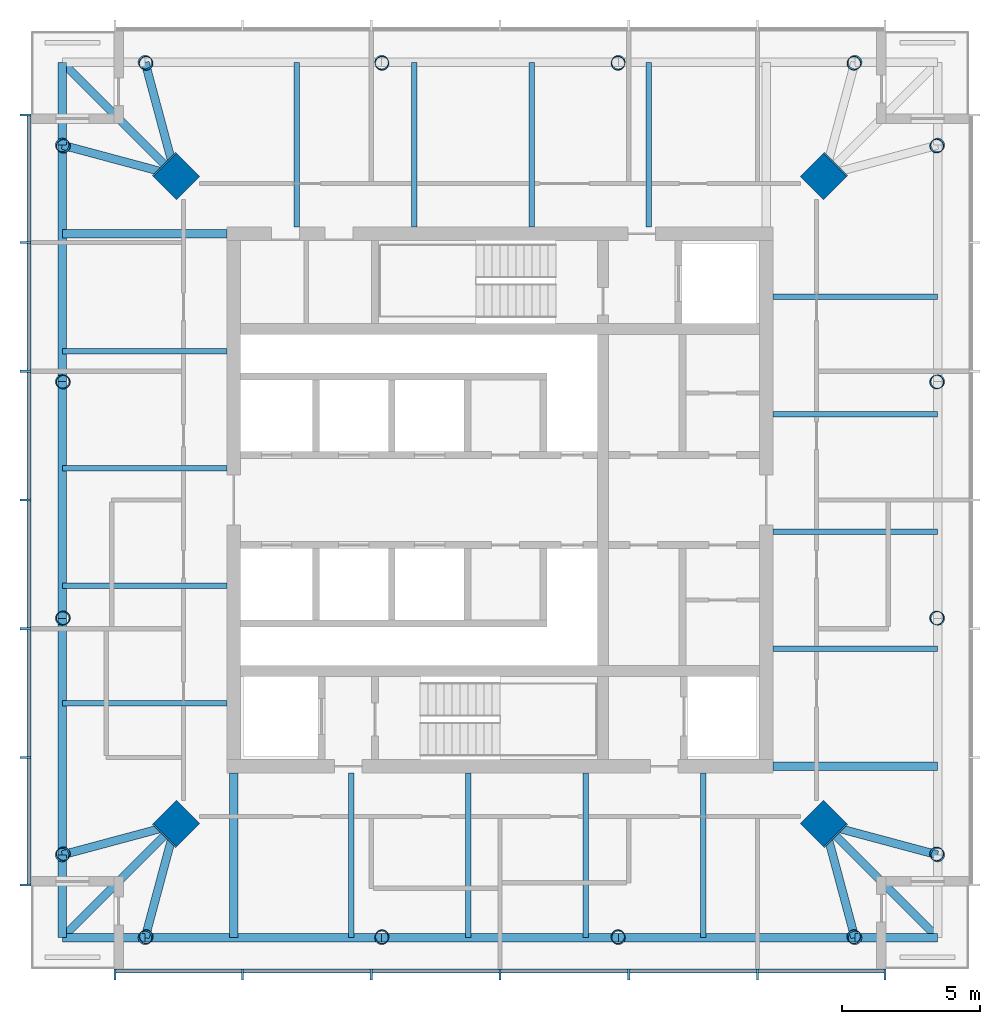
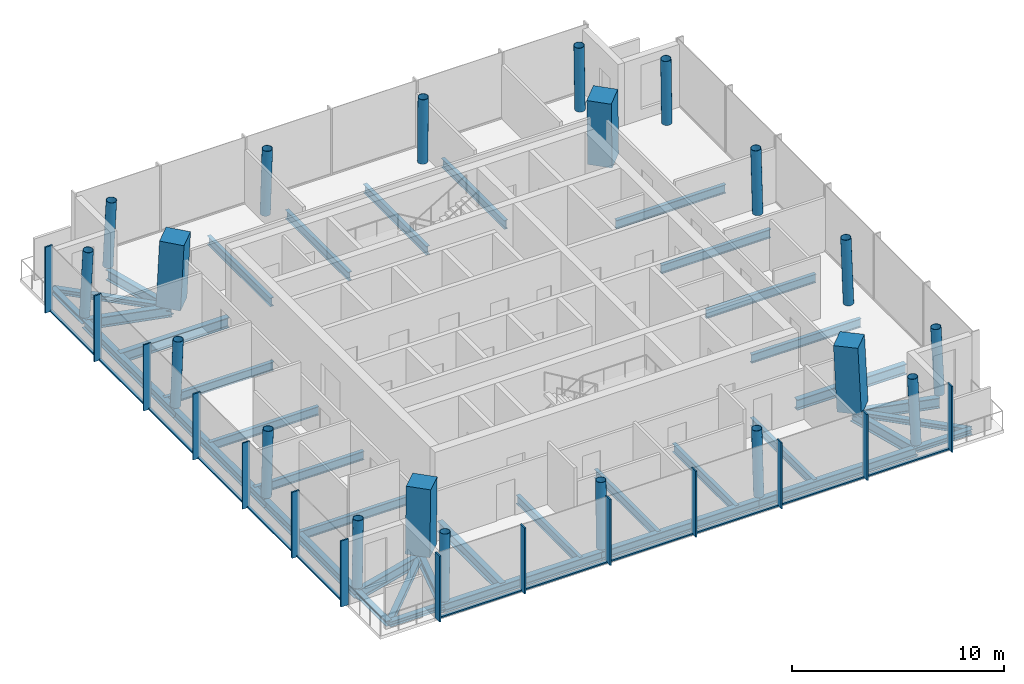
# One storey, part 1 of 7: 38 beams, 26 members, 20 columns, 2 elements without a shape of their own.
"""IFC4 building model written with IfcOpenShell, lengths in metres."""

from ifc_helpers import new_model, si_unit, direction, frame, origin, origin_2d, place, context, subcontext, project, spatial, rectangle, hollow_circle, i_section, extrude, material, material_profile, profile_set, type_object, element, aggregate, save


model = new_model("IFC4")

# Units and contexts
model_context = context("Model", 3, precision=1e-05, world=origin(), true_north=direction((0.0, 1.0)))
body_context = subcontext(model_context, "Body", "Model", "MODEL_VIEW")
ifc_project = project(units=[si_unit("LENGTHUNIT", "METRE"), si_unit("AREAUNIT", "SQUARE_METRE"), si_unit("VOLUMEUNIT", "CUBIC_METRE"), si_unit("PLANEANGLEUNIT", "RADIAN"), si_unit("MASSUNIT", "GRAM", prefix="KILO")], contexts=[model_context])

# Site, building, storey
site_placement = place(None, origin())
site = spatial("IfcSite", under=ifc_project, at=site_placement, CompositionType="ELEMENT")
building_placement = place(site_placement, origin())
building = spatial("IfcBuilding", under=site, at=building_placement, Name="Ostroluk Exchange", CompositionType="ELEMENT")
storey_placement = place(building_placement, frame((0.0, 0.0, 275.60009765625)))
storey = spatial("IfcBuildingStorey", under=building, at=storey_placement, Name="L71", CompositionType="ELEMENT", Elevation=275.60009765625)

# Columns
ifc_material_1 = material(Name="Concrete C50/60", Category="concrete")
ifc_material_profile_1 = material_profile(ifc_material_1, rectangle(XDim=1.199951171875, YDim=1.199951171875, at=origin_2d()), Name="RC 1200x1200")
ifc_profile_set_1 = profile_set([ifc_material_profile_1], Name="Concrete C50/60")
column_type_1 = type_object("IfcColumnType", Name="Mega column RC 1200x1200", PredefinedType="COLUMN", material=ifc_profile_set_1)
for number, where, z_axis, x_axis, name in (
    (1, (56.764404296875, 57.764404296875, 0.0), (-0.031964207655, -0.031964207655, 0.998977766949), (0.707106781187, -0.707106781187, 0.0), "T1 mega column NE"),
    (2, (33.235595703125, 57.764404296875, 0.0), (0.031964207655, -0.031964207655, 0.998977766949), (0.707106781187, 0.707106781187, 0.0), "T1 mega column NW"),
    (3, (33.235595703125, 34.235595703125, 0.0), (0.031964207655, 0.031964207655, 0.998977766949), (-0.707106781187, 0.707106781187, 0.0), "T1 mega column SW"),
    (4, (56.764404296875, 34.235595703125, 0.0), (-0.031964207655, 0.031964207655, 0.998977766949), (-0.707106781187, -0.707106781187, 0.0), "T1 mega column SE"),
):
    element("IfcColumn", number, at=place(storey_placement, frame(where, z_axis=z_axis, x_axis=x_axis)), inside=storey, type_object=column_type_1, Name=name, PredefinedType="COLUMN", context=body_context, shape_type="SweptSolid", body=[
        extrude(rectangle(XDim=1.199951171875, YDim=1.199951171875, at=origin_2d()), origin(), (0.0, 0.0, 1.0), 3.8037109375),
    ])
ifc_material_2 = material(Name="Steel S460", Category="steel")
ifc_material_profile_2 = material_profile(ifc_material_2, hollow_circle(Radius=0.25390625, WallThickness=0.02001953125, at=origin_2d()), Name="CHS 508x20")
ifc_profile_set_2 = profile_set([ifc_material_profile_2], Name="Steel S460")
column_type_2 = type_object("IfcColumnType", Name="Perimeter column CHS 508x20", PredefinedType="COLUMN", material=ifc_profile_set_2)
for number, where, z_axis, x_axis, name in (
    (5, (60.8642578125, 33.1357421875, 0.0), (-0.031900153262, 0.031900153262, 0.998981861919), (-0.707106781187, -0.707106781187, 0.0), "T1 east face column E0"),
    (6, (60.8642578125, 58.8642578125, 0.0), (-0.031900153262, -0.031900153262, 0.998981861919), (0.707106781187, -0.707106781187, 0.0), "T1 east face column E1"),
):
    element("IfcColumn", number, at=place(storey_placement, frame(where, z_axis=z_axis, x_axis=x_axis)), inside=storey, type_object=column_type_2, Name=name, PredefinedType="COLUMN", context=body_context, shape_type="SweptSolid", body=[
        extrude(hollow_circle(Radius=0.25390625, WallThickness=0.02001953125, at=origin_2d()), origin(), (0.0, 0.0, 1.0), 3.8037109375),
    ])
for number, where, z_axis, x_axis, name in (
    (7, (60.8642578125, 41.7119140625, 0.0), (-0.031914583439, 0.010659599298, 0.999433755837), (-0.316800238982, -0.948492281772, 0.0), "T1 east face column I1"),
    (8, (60.8642578125, 50.2880859375, 0.0), (-0.031914583439, -0.010659599298, 0.999433755837), (0.316800238982, -0.948492281772, 0.0), "T1 east face column I2"),
):
    element("IfcColumn", number, at=place(storey_placement, frame(where, z_axis=z_axis, x_axis=x_axis)), inside=storey, type_object=column_type_2, Name=name, PredefinedType="COLUMN", context=body_context, shape_type="SweptSolid", body=[
        extrude(hollow_circle(Radius=0.25390625, WallThickness=0.02001953125, at=origin_2d()), origin(), (0.0, 0.0, 1.0), 3.802001953125),
    ])
for number, where, z_axis, x_axis, name in (
    (9, (57.8642578125, 61.8642578125, 0.0), (-0.031900153262, -0.031900153262, 0.998981861919), (0.707106781187, -0.707106781187, 0.0), "T1 north face column E0"),
    (10, (32.1357421875, 61.8642578125, 0.0), (0.031900153262, -0.031900153262, 0.998981861919), (0.707106781187, 0.707106781187, 0.0), "T1 north face column E1"),
):
    element("IfcColumn", number, at=place(storey_placement, frame(where, z_axis=z_axis, x_axis=x_axis)), inside=storey, type_object=column_type_2, Name=name, PredefinedType="COLUMN", context=body_context, shape_type="SweptSolid", body=[
        extrude(hollow_circle(Radius=0.25390625, WallThickness=0.02001953125, at=origin_2d()), origin(), (0.0, 0.0, 1.0), 3.8037109375),
    ])
for number, where, z_axis, x_axis, name in (
    (11, (49.2880859375, 61.8642578125, 0.0), (-0.010659599298, -0.031914583439, 0.999433755837), (0.948492281772, -0.316800238982, 0.0), "T1 north face column I1"),
    (12, (40.7119140625, 61.8642578125, 0.0), (0.010659599298, -0.031914583439, 0.999433755837), (0.948492281772, 0.316800238982, 0.0), "T1 north face column I2"),
):
    element("IfcColumn", number, at=place(storey_placement, frame(where, z_axis=z_axis, x_axis=x_axis)), inside=storey, type_object=column_type_2, Name=name, PredefinedType="COLUMN", context=body_context, shape_type="SweptSolid", body=[
        extrude(hollow_circle(Radius=0.25390625, WallThickness=0.02001953125, at=origin_2d()), origin(), (0.0, 0.0, 1.0), 3.802001953125),
    ])
for number, where, z_axis, x_axis, name in (
    (13, (29.1357421875, 58.8642578125, 0.0), (0.031900153262, -0.031900153262, 0.998981861919), (0.707106781187, 0.707106781187, 0.0), "T1 west face column E0"),
    (14, (29.1357421875, 33.1357421875, 0.0), (0.031900153262, 0.031900153262, 0.998981861919), (-0.707106781187, 0.707106781187, 0.0), "T1 west face column E1"),
):
    element("IfcColumn", number, at=place(storey_placement, frame(where, z_axis=z_axis, x_axis=x_axis)), inside=storey, type_object=column_type_2, Name=name, PredefinedType="COLUMN", context=body_context, shape_type="SweptSolid", body=[
        extrude(hollow_circle(Radius=0.25390625, WallThickness=0.02001953125, at=origin_2d()), origin(), (0.0, 0.0, 1.0), 3.8037109375),
    ])
for number, where, z_axis, x_axis, name in (
    (15, (29.1357421875, 50.2880859375, 0.0), (0.031914583439, -0.010659599298, 0.999433755837), (0.316800238982, 0.948492281772, 0.0), "T1 west face column I1"),
    (16, (29.1357421875, 41.7119140625, 0.0), (0.031914583439, 0.010659599298, 0.999433755837), (-0.316800238982, 0.948492281772, 0.0), "T1 west face column I2"),
):
    element("IfcColumn", number, at=place(storey_placement, frame(where, z_axis=z_axis, x_axis=x_axis)), inside=storey, type_object=column_type_2, Name=name, PredefinedType="COLUMN", context=body_context, shape_type="SweptSolid", body=[
        extrude(hollow_circle(Radius=0.25390625, WallThickness=0.02001953125, at=origin_2d()), origin(), (0.0, 0.0, 1.0), 3.802001953125),
    ])
for number, where, z_axis, x_axis, name in (
    (17, (32.1357421875, 30.1357421875, 0.0), (0.031900153262, 0.031900153262, 0.998981861919), (-0.707106781187, 0.707106781187, 0.0), "T1 south face column E0"),
    (18, (57.8642578125, 30.1357421875, 0.0), (-0.031900153262, 0.031900153262, 0.998981861919), (-0.707106781187, -0.707106781187, 0.0), "T1 south face column E1"),
):
    element("IfcColumn", number, at=place(storey_placement, frame(where, z_axis=z_axis, x_axis=x_axis)), inside=storey, type_object=column_type_2, Name=name, PredefinedType="COLUMN", context=body_context, shape_type="SweptSolid", body=[
        extrude(hollow_circle(Radius=0.25390625, WallThickness=0.02001953125, at=origin_2d()), origin(), (0.0, 0.0, 1.0), 3.8037109375),
    ])
for number, where, z_axis, x_axis, name in (
    (19, (40.7119140625, 30.1357421875, 0.0), (0.010659599298, 0.031914583439, 0.999433755837), (-0.948492281772, 0.316800238982, 0.0), "T1 south face column I1"),
    (20, (49.2880859375, 30.1357421875, 0.0), (-0.010659599298, 0.031914583439, 0.999433755837), (-0.948492281772, -0.316800238982, 0.0), "T1 south face column I2"),
):
    element("IfcColumn", number, at=place(storey_placement, frame(where, z_axis=z_axis, x_axis=x_axis)), inside=storey, type_object=column_type_2, Name=name, PredefinedType="COLUMN", context=body_context, shape_type="SweptSolid", body=[
        extrude(hollow_circle(Radius=0.25390625, WallThickness=0.02001953125, at=origin_2d()), origin(), (0.0, 0.0, 1.0), 3.802001953125),
    ])

# Beams
ifc_material_3 = material(Name="Steel S355", Category="steel")
ifc_material_profile_3 = material_profile(ifc_material_3, i_section(OverallWidth=0.300048828125, OverallDepth=0.300048828125, WebThickness=0.010986328125, FlangeThickness=0.01904296875, FilletRadius=0.027099609375, at=origin_2d()), Name="HEB 300")
ifc_profile_set_3 = profile_set([ifc_material_profile_3], Name="Steel S355")
beam_type_1 = type_object("IfcBeamType", Name="Balcony beam HEB 300", PredefinedType="BEAM", material=ifc_profile_set_3)
beam_1_placement = place(storey_placement, frame((29.1357421875, 58.8642578125, -0.330078125), z_axis=(0.0, 1.0, 0.0), x_axis=(-1.0, 0.0, 0.0)))
element("IfcBeam", 21, at=beam_1_placement, inside=storey, type_object=beam_type_1, Name="T1 north balcony beam b", PredefinedType="BEAM", context=body_context, shape_type="SweptSolid", body=[
    extrude(i_section(OverallWidth=0.300048828125, OverallDepth=0.300048828125, WebThickness=0.010986328125, FlangeThickness=0.01904296875, FilletRadius=0.027099609375, at=origin_2d()), origin(), (0.0, 0.0, 1.0), 3.0),
])
beam_2_placement = place(storey_placement, frame((33.235595703125, 57.764404296875, -0.330078125), z_axis=(-0.707106781187, 0.707106781187, 0.0), x_axis=(-0.707106781187, -0.707106781187, 0.0)))
element("IfcBeam", 22, at=beam_2_placement, inside=storey, type_object=beam_type_1, Name="T1 north balcony beam c", PredefinedType="BEAM", context=body_context, shape_type="SweptSolid", body=[
    extrude(i_section(OverallWidth=0.300048828125, OverallDepth=0.300048828125, WebThickness=0.010986328125, FlangeThickness=0.01904296875, FilletRadius=0.027099609375, at=origin_2d()), origin(), (0.0, 0.0, 1.0), 5.798095703125),
])
for number, where, z_axis, x_axis, name in (
    (23, (29.1357421875, 33.1357421875, -0.330078125), (0.0, -1.0, 0.0), (1.0, 0.0, 0.0), "T1 west balcony beam a"),
    (24, (32.1357421875, 30.1357421875, -0.330078125), (-1.0, 0.0, 0.0), (0.0, -1.0, 0.0), "T1 west balcony beam b"),
):
    element("IfcBeam", number, at=place(storey_placement, frame(where, z_axis=z_axis, x_axis=x_axis)), inside=storey, type_object=beam_type_1, Name=name, PredefinedType="BEAM", context=body_context, shape_type="SweptSolid", body=[
        extrude(i_section(OverallWidth=0.300048828125, OverallDepth=0.300048828125, WebThickness=0.010986328125, FlangeThickness=0.01904296875, FilletRadius=0.027099609375, at=origin_2d()), origin(), (0.0, 0.0, 1.0), 3.0),
    ])
beam_3_placement = place(storey_placement, frame((33.235595703125, 34.235595703125, -0.330078125), z_axis=(-0.707106781187, -0.707106781187, 0.0), x_axis=(0.707106781187, -0.707106781187, 0.0)))
element("IfcBeam", 25, at=beam_3_placement, inside=storey, type_object=beam_type_1, Name="T1 west balcony beam c", PredefinedType="BEAM", context=body_context, shape_type="SweptSolid", body=[
    extrude(i_section(OverallWidth=0.300048828125, OverallDepth=0.300048828125, WebThickness=0.010986328125, FlangeThickness=0.01904296875, FilletRadius=0.027099609375, at=origin_2d()), origin(), (0.0, 0.0, 1.0), 5.798095703125),
])
beam_4_placement = place(storey_placement, frame((57.8642578125, 30.1357421875, -0.330078125), z_axis=(1.0, 0.0, 0.0), x_axis=(0.0, 1.0, 0.0)))
element("IfcBeam", 26, at=beam_4_placement, inside=storey, type_object=beam_type_1, Name="T1 south balcony beam a", PredefinedType="BEAM", context=body_context, shape_type="SweptSolid", body=[
    extrude(i_section(OverallWidth=0.300048828125, OverallDepth=0.300048828125, WebThickness=0.010986328125, FlangeThickness=0.01904296875, FilletRadius=0.027099609375, at=origin_2d()), origin(), (0.0, 0.0, 1.0), 3.0),
])
beam_5_placement = place(storey_placement, frame((56.764404296875, 34.235595703125, -0.330078125), z_axis=(0.707106781187, -0.707106781187, 0.0), x_axis=(0.707106781187, 0.707106781187, 0.0)))
element("IfcBeam", 27, at=beam_5_placement, inside=storey, type_object=beam_type_1, Name="T1 south balcony beam c", PredefinedType="BEAM", context=body_context, shape_type="SweptSolid", body=[
    extrude(i_section(OverallWidth=0.300048828125, OverallDepth=0.300048828125, WebThickness=0.010986328125, FlangeThickness=0.01904296875, FilletRadius=0.027099609375, at=origin_2d()), origin(), (0.0, 0.0, 1.0), 5.798095703125),
])
ifc_material_4 = material(Name="Steel S355", Category="steel")
ifc_material_profile_4 = material_profile(ifc_material_4, i_section(OverallWidth=0.300048828125, OverallDepth=0.60009765625, WebThickness=0.015380859375, FlangeThickness=0.030029296875, FilletRadius=0.027099609375, at=origin_2d()), Name="HEB 600")
ifc_profile_set_4 = profile_set([ifc_material_profile_4], Name="Steel S355")
beam_type_2 = type_object("IfcBeamType", Name="Corner edge beam HEB 600", PredefinedType="SPANDREL", material=ifc_profile_set_4)
for number, where, z_axis, x_axis, name in (
    (28, (33.235595703125, 57.764404296875, -0.47998046875), (-0.259105011038, 0.965849156574, 0.0), (-0.965849156574, -0.259105011038, 0.0), "T1 north corner edge beam a"),
    (29, (33.235595703125, 57.764404296875, -0.47998046875), (-0.965849156574, 0.259105011038, 0.0), (-0.259105011038, -0.965849156574, 0.0), "T1 north corner edge beam b"),
    (30, (33.235595703125, 34.235595703125, -0.47998046875), (-0.965849156574, -0.259105011038, 0.0), (0.259105011038, -0.965849156574, 0.0), "T1 west corner edge beam a"),
    (31, (33.235595703125, 34.235595703125, -0.47998046875), (-0.259105011038, -0.965849156574, 0.0), (0.965849156574, -0.259105011038, 0.0), "T1 west corner edge beam b"),
    (32, (56.764404296875, 34.235595703125, -0.47998046875), (0.259105011038, -0.965849156574, 0.0), (0.965849156574, 0.259105011038, 0.0), "T1 south corner edge beam a"),
    (33, (56.764404296875, 34.235595703125, -0.47998046875), (0.965849156574, -0.259105011038, 0.0), (0.259105011038, 0.965849156574, 0.0), "T1 south corner edge beam b"),
):
    element("IfcBeam", number, at=place(storey_placement, frame(where, z_axis=z_axis, x_axis=x_axis)), inside=storey, type_object=beam_type_2, Name=name, PredefinedType="SPANDREL", context=body_context, shape_type="SweptSolid", body=[
        extrude(i_section(OverallWidth=0.300048828125, OverallDepth=0.60009765625, WebThickness=0.015380859375, FlangeThickness=0.030029296875, FilletRadius=0.027099609375, at=origin_2d()), origin(), (0.0, 0.0, 1.0), 4.244873046875),
    ])
ifc_material_5 = material(Name="Steel S355", Category="steel")
ifc_material_profile_5 = material_profile(ifc_material_5, i_section(OverallWidth=0.199951171875, OverallDepth=0.5, WebThickness=0.01025390625, FlangeThickness=0.01611328125, FilletRadius=0.02099609375, at=origin_2d()), Name="IPE 500")
ifc_profile_set_5 = profile_set([ifc_material_profile_5], Name="Steel S355")
beam_type_3 = type_object("IfcBeamType", Name="Floor beam IPE 500", PredefinedType="BEAM", material=ifc_profile_set_5)
for number, where, z_axis, x_axis, name in (
    (34, (54.89990234375, 40.602294921875, -0.43017578125), (1.0, 0.0, 0.0), (0.0, 1.0, 0.0), "T1 east floor beam 1"),
    (35, (54.89990234375, 44.854736328125, -0.43017578125), (1.0, 0.0, 0.0), (0.0, 1.0, 0.0), "T1 east floor beam 2"),
    (36, (54.89990234375, 49.107177734375, -0.43017578125), (1.0, 0.0, 0.0), (0.0, 1.0, 0.0), "T1 east floor beam 3"),
    (37, (54.89990234375, 53.359619140625, -0.43017578125), (1.0, 0.0, 0.0), (0.0, 1.0, 0.0), "T1 east floor beam 4"),
    (38, (50.397705078125, 55.89990234375, -0.43017578125), (0.0, 1.0, 0.0), (-1.0, 0.0, 0.0), "T1 north floor beam 1"),
    (39, (46.145263671875, 55.89990234375, -0.43017578125), (0.0, 1.0, 0.0), (-1.0, 0.0, 0.0), "T1 north floor beam 2"),
    (40, (41.892822265625, 55.89990234375, -0.43017578125), (0.0, 1.0, 0.0), (-1.0, 0.0, 0.0), "T1 north floor beam 3"),
    (41, (37.640380859375, 55.89990234375, -0.43017578125), (0.0, 1.0, 0.0), (-1.0, 0.0, 0.0), "T1 north floor beam 4"),
    (42, (35.10009765625, 51.397705078125, -0.43017578125), (-1.0, 0.0, 0.0), (0.0, -1.0, 0.0), "T1 west floor beam 1"),
    (43, (35.10009765625, 47.145263671875, -0.43017578125), (-1.0, 0.0, 0.0), (0.0, -1.0, 0.0), "T1 west floor beam 2"),
    (44, (35.10009765625, 42.892822265625, -0.43017578125), (-1.0, 0.0, 0.0), (0.0, -1.0, 0.0), "T1 west floor beam 3"),
    (45, (35.10009765625, 38.640380859375, -0.43017578125), (-1.0, 0.0, 0.0), (0.0, -1.0, 0.0), "T1 west floor beam 4"),
    (46, (39.602294921875, 36.10009765625, -0.43017578125), (0.0, -1.0, 0.0), (1.0, 0.0, 0.0), "T1 south floor beam 1"),
    (47, (43.854736328125, 36.10009765625, -0.43017578125), (0.0, -1.0, 0.0), (1.0, 0.0, 0.0), "T1 south floor beam 2"),
    (48, (48.107177734375, 36.10009765625, -0.43017578125), (0.0, -1.0, 0.0), (1.0, 0.0, 0.0), "T1 south floor beam 3"),
    (49, (52.359619140625, 36.10009765625, -0.43017578125), (0.0, -1.0, 0.0), (1.0, 0.0, 0.0), "T1 south floor beam 4"),
):
    element("IfcBeam", number, at=place(storey_placement, frame(where, z_axis=z_axis, x_axis=x_axis)), inside=storey, type_object=beam_type_3, Name=name, PredefinedType="BEAM", context=body_context, shape_type="SweptSolid", body=[
        extrude(i_section(OverallWidth=0.199951171875, OverallDepth=0.5, WebThickness=0.01025390625, FlangeThickness=0.01611328125, FilletRadius=0.02099609375, at=origin_2d()), origin(), (0.0, 0.0, 1.0), 5.96435546875),
    ])
ifc_material_6 = material(Name="Steel S355", Category="steel")
ifc_material_profile_6 = material_profile(ifc_material_6, i_section(OverallWidth=0.300048828125, OverallDepth=0.60009765625, WebThickness=0.015380859375, FlangeThickness=0.030029296875, FilletRadius=0.027099609375, at=origin_2d()), Name="HEB 600")
ifc_profile_set_6 = profile_set([ifc_material_profile_6], Name="Steel S355")
beam_type_4 = type_object("IfcBeamType", Name="Girder HEB 600", PredefinedType="BEAM", material=ifc_profile_set_6)
for number, where, z_axis, x_axis, name in (
    (50, (35.10009765625, 55.64990234375, -0.47998046875), (-1.0, 0.0, 0.0), (0.0, -1.0, 0.0), "T1 north girder"),
    (51, (35.35009765625, 36.10009765625, -0.47998046875), (0.0, -1.0, 0.0), (1.0, 0.0, 0.0), "T1 west girder"),
    (52, (54.89990234375, 36.35009765625, -0.47998046875), (1.0, 0.0, 0.0), (0.0, 1.0, 0.0), "T1 south girder"),
):
    element("IfcBeam", number, at=place(storey_placement, frame(where, z_axis=z_axis, x_axis=x_axis)), inside=storey, type_object=beam_type_4, Name=name, PredefinedType="BEAM", context=body_context, shape_type="SweptSolid", body=[
        extrude(i_section(OverallWidth=0.300048828125, OverallDepth=0.60009765625, WebThickness=0.015380859375, FlangeThickness=0.030029296875, FilletRadius=0.027099609375, at=origin_2d()), origin(), (0.0, 0.0, 1.0), 5.96435546875),
    ])
ifc_material_7 = material(Name="Steel S355", Category="steel")
ifc_material_profile_7 = material_profile(ifc_material_7, i_section(OverallWidth=0.300048828125, OverallDepth=0.5, WebThickness=0.014404296875, FlangeThickness=0.028076171875, FilletRadius=0.027099609375, at=origin_2d()), Name="HEB 500")
ifc_profile_set_7 = profile_set([ifc_material_profile_7], Name="Steel S355")
beam_type_5 = type_object("IfcBeamType", Name="Moment-connected edge beam HEB 500", PredefinedType="SPANDREL", material=ifc_profile_set_7)
for number, where, z_axis, x_axis, name in (
    (53, (29.1357421875, 58.8642578125, -0.43017578125), (0.0, -1.0, 0.0), (1.0, 0.0, 0.0), "T1 west edge beam 1"),
    (54, (29.1357421875, 50.2880859375, -0.43017578125), (0.0, -1.0, 0.0), (1.0, 0.0, 0.0), "T1 west edge beam 2"),
    (55, (29.1357421875, 41.7119140625, -0.43017578125), (0.0, -1.0, 0.0), (1.0, 0.0, 0.0), "T1 west edge beam 3"),
    (56, (32.1357421875, 30.1357421875, -0.43017578125), (1.0, 0.0, 0.0), (0.0, 1.0, 0.0), "T1 south edge beam 1"),
    (57, (40.7119140625, 30.1357421875, -0.43017578125), (1.0, 0.0, 0.0), (0.0, 1.0, 0.0), "T1 south edge beam 2"),
    (58, (49.2880859375, 30.1357421875, -0.43017578125), (1.0, 0.0, 0.0), (0.0, 1.0, 0.0), "T1 south edge beam 3"),
):
    element("IfcBeam", number, at=place(storey_placement, frame(where, z_axis=z_axis, x_axis=x_axis)), inside=storey, type_object=beam_type_5, Name=name, PredefinedType="SPANDREL", context=body_context, shape_type="SweptSolid", body=[
        extrude(i_section(OverallWidth=0.300048828125, OverallDepth=0.5, WebThickness=0.014404296875, FlangeThickness=0.028076171875, FilletRadius=0.027099609375, at=origin_2d()), origin(), (0.0, 0.0, 1.0), 8.576171875),
    ])

# Curtain wall, members
ifc_material_8 = material(Name="Laminated clear glass", Category="glass")
curtain_wall_type = type_object("IfcCurtainWallType", Name="Office tower facade", PredefinedType="USERDEFINED", material=ifc_material_8)
curtain_wall_1_placement = place(storey_placement, origin())
curtain_wall_1 = element("IfcCurtainWall", 59, at=curtain_wall_1_placement, inside=storey, type_object=curtain_wall_type, Name="Office tower south facade L71", ObjectType="UNITISED CURTAIN WALL", PredefinedType="USERDEFINED")
ifc_material_9 = material(Name="Aluminium mullion", Category="aluminium")
ifc_material_profile_8 = material_profile(ifc_material_9, rectangle(XDim=0.14990234375, YDim=0.080078125, at=origin_2d()), Name="Sill transom 80 x 150")
ifc_profile_set_8 = profile_set([ifc_material_profile_8], Name="Aluminium mullion")
member_type_1 = type_object("IfcMemberType", Name="Sill transom 80 x 150", PredefinedType="USERDEFINED", material=ifc_profile_set_8)
member_1_placement = place(storey_placement, frame((31.080078125, 28.925048828125, 0.039794921875), z_axis=(1.0, 0.0, 0.0), x_axis=(0.0, 1.0, 0.0)))
member_1 = element("IfcMember", 60, at=member_1_placement, type_object=member_type_1, Name="CW-O1 transom 1.1", ObjectType="TRANSOM", PredefinedType="USERDEFINED", context=body_context, shape_type="SweptSolid", body=[
    extrude(rectangle(XDim=0.14990234375, YDim=0.080078125, at=origin_2d()), origin(), (0.0, 0.0, 1.0), 4.546630859375),
])
member_2_placement = place(storey_placement, frame((35.706787109375, 28.925048828125, 0.039794921875), z_axis=(1.0, 0.0, 0.0), x_axis=(0.0, 1.0, 0.0)))
member_2 = element("IfcMember", 61, at=member_2_placement, type_object=member_type_1, Name="CW-O1 transom 2.1", ObjectType="TRANSOM", PredefinedType="USERDEFINED", context=body_context, shape_type="SweptSolid", body=[
    extrude(rectangle(XDim=0.14990234375, YDim=0.080078125, at=origin_2d()), origin(), (0.0, 0.0, 1.0), 4.58642578125),
])
member_3_placement = place(storey_placement, frame((40.373291015625, 28.925048828125, 0.039794921875), z_axis=(1.0, 0.0, 0.0), x_axis=(0.0, 1.0, 0.0)))
member_3 = element("IfcMember", 62, at=member_3_placement, type_object=member_type_1, Name="CW-O1 transom 3.1", ObjectType="TRANSOM", PredefinedType="USERDEFINED", context=body_context, shape_type="SweptSolid", body=[
    extrude(rectangle(XDim=0.14990234375, YDim=0.080078125, at=origin_2d()), origin(), (0.0, 0.0, 1.0), 4.586669921875),
])
member_4_placement = place(storey_placement, frame((45.0400390625, 28.925048828125, 0.039794921875), z_axis=(1.0, 0.0, 0.0), x_axis=(0.0, 1.0, 0.0)))
member_4 = element("IfcMember", 63, at=member_4_placement, type_object=member_type_1, Name="CW-O1 transom 4.1", ObjectType="TRANSOM", PredefinedType="USERDEFINED", context=body_context, shape_type="SweptSolid", body=[
    extrude(rectangle(XDim=0.14990234375, YDim=0.080078125, at=origin_2d()), origin(), (0.0, 0.0, 1.0), 4.586669921875),
])
member_5_placement = place(storey_placement, frame((49.706787109375, 28.925048828125, 0.039794921875), z_axis=(1.0, 0.0, 0.0), x_axis=(0.0, 1.0, 0.0)))
member_5 = element("IfcMember", 64, at=member_5_placement, type_object=member_type_1, Name="CW-O1 transom 5.1", ObjectType="TRANSOM", PredefinedType="USERDEFINED", context=body_context, shape_type="SweptSolid", body=[
    extrude(rectangle(XDim=0.14990234375, YDim=0.080078125, at=origin_2d()), origin(), (0.0, 0.0, 1.0), 4.58642578125),
])
member_6_placement = place(storey_placement, frame((54.373291015625, 28.925048828125, 0.039794921875), z_axis=(1.0, 0.0, 0.0), x_axis=(0.0, 1.0, 0.0)))
member_6 = element("IfcMember", 65, at=member_6_placement, type_object=member_type_1, Name="CW-O1 transom 6.1", ObjectType="TRANSOM", PredefinedType="USERDEFINED", context=body_context, shape_type="SweptSolid", body=[
    extrude(rectangle(XDim=0.14990234375, YDim=0.080078125, at=origin_2d()), origin(), (0.0, 0.0, 1.0), 4.546630859375),
])

curtain_wall_2_placement = place(storey_placement, origin())
curtain_wall_2 = element("IfcCurtainWall", 66, at=curtain_wall_2_placement, inside=storey, type_object=curtain_wall_type, Name="Office tower west facade L71", ObjectType="UNITISED CURTAIN WALL", PredefinedType="USERDEFINED")
member_7_placement = place(storey_placement, frame((27.925048828125, 59.919921875, 0.039794921875), z_axis=(0.0, -1.0, 0.0), x_axis=(1.0, 0.0, 0.0)))
member_7 = element("IfcMember", 67, at=member_7_placement, type_object=member_type_1, Name="CW-O1 transom 1.1", ObjectType="TRANSOM", PredefinedType="USERDEFINED", context=body_context, shape_type="SweptSolid", body=[
    extrude(rectangle(XDim=0.14990234375, YDim=0.080078125, at=origin_2d()), origin(), (0.0, 0.0, 1.0), 4.546630859375),
])
member_8_placement = place(storey_placement, frame((27.925048828125, 55.293212890625, 0.039794921875), z_axis=(0.0, -1.0, 0.0), x_axis=(1.0, 0.0, 0.0)))
member_8 = element("IfcMember", 68, at=member_8_placement, type_object=member_type_1, Name="CW-O1 transom 2.1", ObjectType="TRANSOM", PredefinedType="USERDEFINED", context=body_context, shape_type="SweptSolid", body=[
    extrude(rectangle(XDim=0.14990234375, YDim=0.080078125, at=origin_2d()), origin(), (0.0, 0.0, 1.0), 4.58642578125),
])
member_9_placement = place(storey_placement, frame((27.925048828125, 50.626708984375, 0.039794921875), z_axis=(0.0, -1.0, 0.0), x_axis=(1.0, 0.0, 0.0)))
member_9 = element("IfcMember", 69, at=member_9_placement, type_object=member_type_1, Name="CW-O1 transom 3.1", ObjectType="TRANSOM", PredefinedType="USERDEFINED", context=body_context, shape_type="SweptSolid", body=[
    extrude(rectangle(XDim=0.14990234375, YDim=0.080078125, at=origin_2d()), origin(), (0.0, 0.0, 1.0), 4.586669921875),
])
member_10_placement = place(storey_placement, frame((27.925048828125, 45.9599609375, 0.039794921875), z_axis=(0.0, -1.0, 0.0), x_axis=(1.0, 0.0, 0.0)))
member_10 = element("IfcMember", 70, at=member_10_placement, type_object=member_type_1, Name="CW-O1 transom 4.1", ObjectType="TRANSOM", PredefinedType="USERDEFINED", context=body_context, shape_type="SweptSolid", body=[
    extrude(rectangle(XDim=0.14990234375, YDim=0.080078125, at=origin_2d()), origin(), (0.0, 0.0, 1.0), 4.586669921875),
])
member_11_placement = place(storey_placement, frame((27.925048828125, 41.293212890625, 0.039794921875), z_axis=(0.0, -1.0, 0.0), x_axis=(1.0, 0.0, 0.0)))
member_11 = element("IfcMember", 71, at=member_11_placement, type_object=member_type_1, Name="CW-O1 transom 5.1", ObjectType="TRANSOM", PredefinedType="USERDEFINED", context=body_context, shape_type="SweptSolid", body=[
    extrude(rectangle(XDim=0.14990234375, YDim=0.080078125, at=origin_2d()), origin(), (0.0, 0.0, 1.0), 4.58642578125),
])
member_12_placement = place(storey_placement, frame((27.925048828125, 36.626708984375, 0.039794921875), z_axis=(0.0, -1.0, 0.0), x_axis=(1.0, 0.0, 0.0)))
member_12 = element("IfcMember", 72, at=member_12_placement, type_object=member_type_1, Name="CW-O1 transom 6.1", ObjectType="TRANSOM", PredefinedType="USERDEFINED", context=body_context, shape_type="SweptSolid", body=[
    extrude(rectangle(XDim=0.14990234375, YDim=0.080078125, at=origin_2d()), origin(), (0.0, 0.0, 1.0), 4.546630859375),
])

# Member
ifc_material_10 = material(Name="Aluminium mullion with limestone facing", Category="masonry")
ifc_material_profile_9 = material_profile(ifc_material_10, rectangle(XDim=0.39990234375, YDim=0.080078125, at=origin_2d()), Name="Tracery mullion 80 x 400")
ifc_profile_set_9 = profile_set([ifc_material_profile_9], Name="Aluminium mullion with limestone facing")
member_type_2 = type_object("IfcMemberType", Name="Tracery mullion 80 x 400", PredefinedType="MULLION", material=ifc_profile_set_9)
member_13_placement = place(storey_placement, frame((31.0400390625, 28.800048828125, 0.0), z_axis=(0.0, 0.0, 1.0), x_axis=(0.0, 1.0, 0.0)))
member_13 = element("IfcMember", 73, at=member_13_placement, type_object=member_type_2, Name="CW-O1 mullion 1", PredefinedType="MULLION", context=body_context, shape_type="SweptSolid", body=[
    extrude(rectangle(XDim=0.39990234375, YDim=0.080078125, at=origin_2d()), origin(), (0.0, 0.0, 1.0), 3.7998046875),
])

member_14_placement = place(storey_placement, frame((35.666748046875, 28.800048828125, 0.0), z_axis=(0.0, 0.0, 1.0), x_axis=(0.0, 1.0, 0.0)))
member_14 = element("IfcMember", 74, at=member_14_placement, type_object=member_type_2, Name="CW-O1 mullion 2", PredefinedType="MULLION", context=body_context, shape_type="SweptSolid", body=[
    extrude(rectangle(XDim=0.39990234375, YDim=0.080078125, at=origin_2d()), origin(), (0.0, 0.0, 1.0), 3.7998046875),
])

member_15_placement = place(storey_placement, frame((40.333251953125, 28.800048828125, 0.0), z_axis=(0.0, 0.0, 1.0), x_axis=(0.0, 1.0, 0.0)))
member_15 = element("IfcMember", 75, at=member_15_placement, type_object=member_type_2, Name="CW-O1 mullion 3", PredefinedType="MULLION", context=body_context, shape_type="SweptSolid", body=[
    extrude(rectangle(XDim=0.39990234375, YDim=0.080078125, at=origin_2d()), origin(), (0.0, 0.0, 1.0), 3.7998046875),
])

member_16_placement = place(storey_placement, frame((45.0, 28.800048828125, 0.0), z_axis=(0.0, 0.0, 1.0), x_axis=(0.0, 1.0, 0.0)))
member_16 = element("IfcMember", 76, at=member_16_placement, type_object=member_type_2, Name="CW-O1 mullion 4", PredefinedType="MULLION", context=body_context, shape_type="SweptSolid", body=[
    extrude(rectangle(XDim=0.39990234375, YDim=0.080078125, at=origin_2d()), origin(), (0.0, 0.0, 1.0), 3.7998046875),
])

member_17_placement = place(storey_placement, frame((49.666748046875, 28.800048828125, 0.0), z_axis=(0.0, 0.0, 1.0), x_axis=(0.0, 1.0, 0.0)))
member_17 = element("IfcMember", 77, at=member_17_placement, type_object=member_type_2, Name="CW-O1 mullion 5", PredefinedType="MULLION", context=body_context, shape_type="SweptSolid", body=[
    extrude(rectangle(XDim=0.39990234375, YDim=0.080078125, at=origin_2d()), origin(), (0.0, 0.0, 1.0), 3.7998046875),
])

member_18_placement = place(storey_placement, frame((54.333251953125, 28.800048828125, 0.0), z_axis=(0.0, 0.0, 1.0), x_axis=(0.0, 1.0, 0.0)))
member_18 = element("IfcMember", 78, at=member_18_placement, type_object=member_type_2, Name="CW-O1 mullion 6", PredefinedType="MULLION", context=body_context, shape_type="SweptSolid", body=[
    extrude(rectangle(XDim=0.39990234375, YDim=0.080078125, at=origin_2d()), origin(), (0.0, 0.0, 1.0), 3.7998046875),
])

member_19_placement = place(storey_placement, frame((58.9599609375, 28.800048828125, 0.0), z_axis=(0.0, 0.0, 1.0), x_axis=(0.0, 1.0, 0.0)))
member_19 = element("IfcMember", 79, at=member_19_placement, type_object=member_type_2, Name="CW-O1 mullion 7", PredefinedType="MULLION", context=body_context, shape_type="SweptSolid", body=[
    extrude(rectangle(XDim=0.39990234375, YDim=0.080078125, at=origin_2d()), origin(), (0.0, 0.0, 1.0), 3.7998046875),
])

aggregate(curtain_wall_1, [member_13, member_14, member_15, member_16, member_17, member_18, member_19, member_1, member_2, member_3, member_4, member_5, member_6])

member_20_placement = place(storey_placement, frame((27.800048828125, 59.9599609375, 0.0), z_axis=(0.0, 0.0, 1.0), x_axis=(1.0, 0.0, 0.0)))
member_20 = element("IfcMember", 80, at=member_20_placement, type_object=member_type_2, Name="CW-O1 mullion 1", PredefinedType="MULLION", context=body_context, shape_type="SweptSolid", body=[
    extrude(rectangle(XDim=0.39990234375, YDim=0.080078125, at=origin_2d()), origin(), (0.0, 0.0, 1.0), 3.7998046875),
])

member_21_placement = place(storey_placement, frame((27.800048828125, 55.333251953125, 0.0), z_axis=(0.0, 0.0, 1.0), x_axis=(1.0, 0.0, 0.0)))
member_21 = element("IfcMember", 81, at=member_21_placement, type_object=member_type_2, Name="CW-O1 mullion 2", PredefinedType="MULLION", context=body_context, shape_type="SweptSolid", body=[
    extrude(rectangle(XDim=0.39990234375, YDim=0.080078125, at=origin_2d()), origin(), (0.0, 0.0, 1.0), 3.7998046875),
])

member_22_placement = place(storey_placement, frame((27.800048828125, 50.666748046875, 0.0), z_axis=(0.0, 0.0, 1.0), x_axis=(1.0, 0.0, 0.0)))
member_22 = element("IfcMember", 82, at=member_22_placement, type_object=member_type_2, Name="CW-O1 mullion 3", PredefinedType="MULLION", context=body_context, shape_type="SweptSolid", body=[
    extrude(rectangle(XDim=0.39990234375, YDim=0.080078125, at=origin_2d()), origin(), (0.0, 0.0, 1.0), 3.7998046875),
])

member_23_placement = place(storey_placement, frame((27.800048828125, 46.0, 0.0), z_axis=(0.0, 0.0, 1.0), x_axis=(1.0, 0.0, 0.0)))
member_23 = element("IfcMember", 83, at=member_23_placement, type_object=member_type_2, Name="CW-O1 mullion 4", PredefinedType="MULLION", context=body_context, shape_type="SweptSolid", body=[
    extrude(rectangle(XDim=0.39990234375, YDim=0.080078125, at=origin_2d()), origin(), (0.0, 0.0, 1.0), 3.7998046875),
])

member_24_placement = place(storey_placement, frame((27.800048828125, 41.333251953125, 0.0), z_axis=(0.0, 0.0, 1.0), x_axis=(1.0, 0.0, 0.0)))
member_24 = element("IfcMember", 84, at=member_24_placement, type_object=member_type_2, Name="CW-O1 mullion 5", PredefinedType="MULLION", context=body_context, shape_type="SweptSolid", body=[
    extrude(rectangle(XDim=0.39990234375, YDim=0.080078125, at=origin_2d()), origin(), (0.0, 0.0, 1.0), 3.7998046875),
])

member_25_placement = place(storey_placement, frame((27.800048828125, 36.666748046875, 0.0), z_axis=(0.0, 0.0, 1.0), x_axis=(1.0, 0.0, 0.0)))
member_25 = element("IfcMember", 85, at=member_25_placement, type_object=member_type_2, Name="CW-O1 mullion 6", PredefinedType="MULLION", context=body_context, shape_type="SweptSolid", body=[
    extrude(rectangle(XDim=0.39990234375, YDim=0.080078125, at=origin_2d()), origin(), (0.0, 0.0, 1.0), 3.7998046875),
])

member_26_placement = place(storey_placement, frame((27.800048828125, 32.0400390625, 0.0), z_axis=(0.0, 0.0, 1.0), x_axis=(1.0, 0.0, 0.0)))
member_26 = element("IfcMember", 86, at=member_26_placement, type_object=member_type_2, Name="CW-O1 mullion 7", PredefinedType="MULLION", context=body_context, shape_type="SweptSolid", body=[
    extrude(rectangle(XDim=0.39990234375, YDim=0.080078125, at=origin_2d()), origin(), (0.0, 0.0, 1.0), 3.7998046875),
])

aggregate(curtain_wall_2, [member_20, member_21, member_22, member_23, member_24, member_25, member_26, member_7, member_8, member_9, member_10, member_11, member_12])

save(model, "model.ifc")
